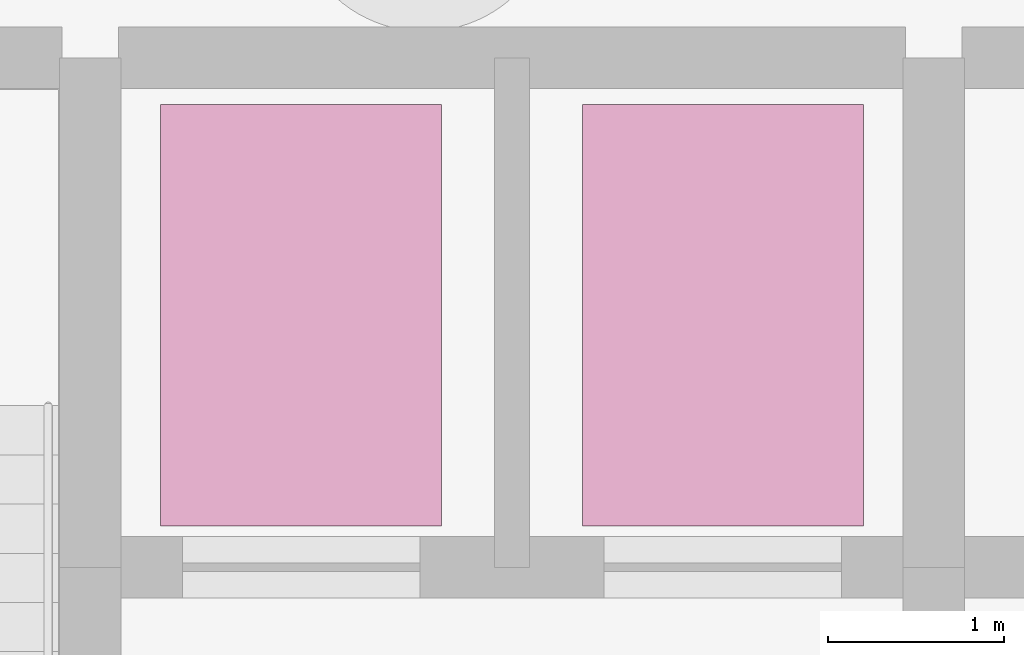
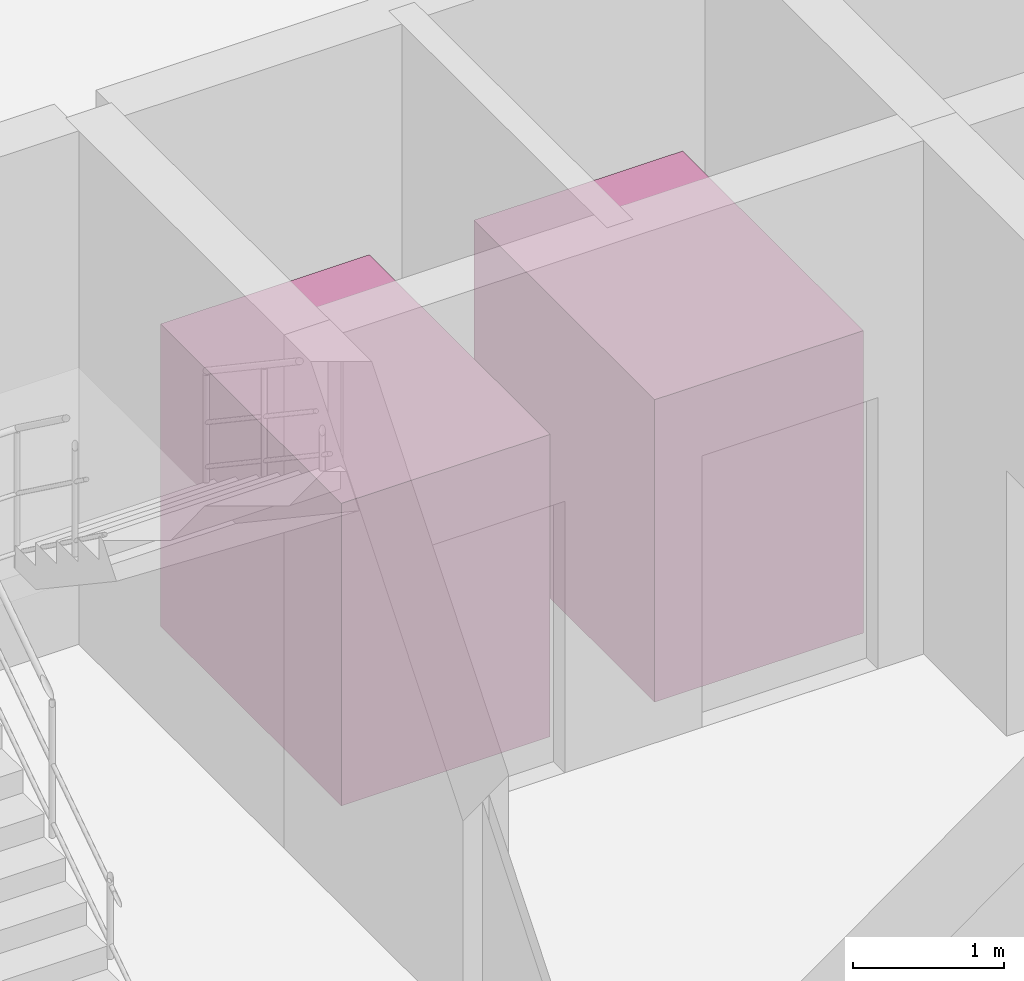
# One storey, part 8 of 8: 2 transport elements.
"""IFC4 building model written with IfcOpenShell, lengths in metres."""

import ifcopenshell
import ifcopenshell.guid

model = None  # the IFC model being written
_history = None  # IfcOwnerHistory: only IFC2X3 demands one
_inside = {}  # id of a spatial element -> (the spatial element, [elements in it])
_under = {}  # id of a project, library or spatial element -> (it, [spatial elements below it])
_declared = {}  # id of a project -> (the project, [libraries it declares])
_typed = {}  # id of a type object -> (the type object, [elements of that type])
_made_of = {}  # id of a material, layer set ... -> (it, [elements and type objects made of it])


def new_model(schema):
    """Start an empty IFC model of exactly this schema.

    Asked for "IFC4X3", IfcOpenShell would pick the latest addendum, in which some entities
    have other attributes; the version numbers below select the first issue.
    IFC2X3 requires an IfcOwnerHistory on every rooted entity: one is made here for all.
    """
    global model, _history
    if schema == "IFC4X3":
        model = ifcopenshell.file(schema_version=(4, 3, 0, 0))
    else:
        model = ifcopenshell.file(schema=schema)
    _inside.clear()
    _under.clear()
    _declared.clear()
    _typed.clear()
    _made_of.clear()
    _history = None
    if model.schema == "IFC2X3":
        org = make("IfcOrganization", Name="unknown")
        user = make(
            "IfcPersonAndOrganization",
            ThePerson=make("IfcPerson", FamilyName="unknown"),
            TheOrganization=org,
        )
        app = make(
            "IfcApplication",
            ApplicationDeveloper=org,
            Version="unknown",
            ApplicationFullName="unknown",
            ApplicationIdentifier="unknown",
        )
        _history = make(
            "IfcOwnerHistory",
            OwningUser=user,
            OwningApplication=app,
            ChangeAction="ADDED",
            CreationDate=0,
        )
    return model


def make(cls, **values):
    """One entity of the class cls with the attributes given. An attribute that is None is left unset."""
    return model.create_entity(
        cls, **{name: value for name, value in values.items() if value is not None}
    )


def rooted(cls, **values):
    """An entity with a GlobalId (a new one), such as an element, a storey or a relation."""
    return make(cls, GlobalId=ifcopenshell.guid.new(), OwnerHistory=_history, **values)


def si_unit(unit_type, name, prefix=None):
    """IfcSIUnit, for example si_unit("LENGTHUNIT", "METRE", prefix="MILLI")."""
    return make("IfcSIUnit", UnitType=unit_type, Prefix=prefix, Name=name)


def assignment(units):
    """IfcUnitAssignment: the units of a project."""
    return None if units is None else make("IfcUnitAssignment", Units=units)


def point(xyz):
    """IfcCartesianPoint."""
    return None if xyz is None else make("IfcCartesianPoint", Coordinates=xyz)


def direction(xyz):
    """IfcDirection."""
    return None if xyz is None else make("IfcDirection", DirectionRatios=xyz)


def frame(location, z_axis=None, x_axis=None):
    """IfcAxis2Placement3D, a coordinate frame: its origin and axes. An axis left out is left unset."""
    return make(
        "IfcAxis2Placement3D",
        Location=point(location),
        Axis=direction(z_axis),
        RefDirection=direction(x_axis),
    )


def frame_2d(location, x_axis=None):
    """IfcAxis2Placement2D, a coordinate frame in the plane: its origin and x axis."""
    return make(
        "IfcAxis2Placement2D", Location=point(location), RefDirection=direction(x_axis)
    )


def origin():
    """The frame at (0, 0, 0) with its axes left unset."""
    return frame((0.0, 0.0, 0.0))


def origin_2d():
    """The frame at (0, 0) in the plane with its x axis left unset."""
    return frame_2d((0.0, 0.0))


def place(relative_to, where):
    """IfcLocalPlacement: puts the frame where relative to a parent placement (None: the world)."""
    return make(
        "IfcLocalPlacement", PlacementRelTo=relative_to, RelativePlacement=where
    )


def context(
    kind, dimensions, precision=None, world=None, true_north=None, identifier=None
):
    """IfcGeometricRepresentationContext, for example the 3D "Model" context."""
    return make(
        "IfcGeometricRepresentationContext",
        ContextIdentifier=identifier,
        ContextType=kind,
        CoordinateSpaceDimension=dimensions,
        Precision=precision,
        WorldCoordinateSystem=world,
        TrueNorth=true_north,
    )


def subcontext(parent, identifier, kind, view, scale=None):
    """IfcGeometricRepresentationSubContext, for example "Body" below "Model"."""
    return make(
        "IfcGeometricRepresentationSubContext",
        ContextIdentifier=identifier,
        ContextType=kind,
        ParentContext=parent,
        TargetScale=scale,
        TargetView=view,
    )


def project(units=None, contexts=None):
    """IfcProject with its units and contexts."""
    return rooted(
        "IfcProject",
        Name="project",
        RepresentationContexts=contexts,
        UnitsInContext=assignment(units),
    )


def spatial(cls, under=None, at=None, **own):
    """A site, building, storey or space (cls), placed at a placement, below another one or the project."""
    s = rooted(cls, ObjectPlacement=at, **own)
    if under is not None:
        _under.setdefault(under.id(), (under, []))[1].append(s)
    return s


def profile(cls, at=None, kind="AREA", **sizes):
    """A parametric profile (cls). Its sizes go by their IFC names, for example OverallWidth=200.0."""
    return make(cls, ProfileType=kind, Position=at, **sizes)


def rectangle(**sizes):
    """IfcRectangleProfileDef."""
    return profile("IfcRectangleProfileDef", **sizes)


def extrude(swept, where, along, depth):
    """IfcExtrudedAreaSolid: the profile swept, set in the frame where, extruded along a direction by depth."""
    return make(
        "IfcExtrudedAreaSolid",
        SweptArea=swept,
        Position=where,
        ExtrudedDirection=direction(along),
        Depth=depth,
    )


def shape(context_of_items, identifier, shape_type, items):
    """IfcShapeRepresentation: the items that make up one representation, for example the "Body"."""
    return make(
        "IfcShapeRepresentation",
        ContextOfItems=context_of_items,
        RepresentationIdentifier=identifier,
        RepresentationType=shape_type,
        Items=items,
    )


def material(Name=None, Category=None):
    """IfcMaterial."""
    return make("IfcMaterial", Name=Name, Category=Category)


def made_of(thing, what):
    """Note that an element or type object is made of a material, layer set ...; save() writes the relation."""
    if what is not None:
        _made_of.setdefault(what.id(), (what, []))[1].append(thing)
    return thing


def type_object(cls, material=None, **own):
    """A type object (cls), such as IfcWallType, which elements share."""
    return made_of(rooted(cls, **own), material)


def element(
    cls,
    number,
    at=None,
    inside=None,
    cuts=None,
    type_object=None,
    material=None,
    context=None,
    identifier="Body",
    shape_type=None,
    held_by="IfcProductDefinitionShape",
    body=None,
    shapes=None,
    **own,
):
    """One element of the class cls, such as IfcWall. Its Tag is "e" and its number.

    at: its placement. inside: the storey or other place that contains it. cuts: it is an
    opening in that element (IfcRelVoidsElement). A single representation is given by context,
    identifier, shape_type and body (its items); several are given by shapes. held_by: the class
    of the entity that holds the representations. save() writes the other relations.
    """
    e = rooted(cls, Tag="e%d" % number, ObjectPlacement=at, **own)
    if body is not None:
        shapes = [shape(context, identifier, shape_type, body)]
    if shapes is not None:
        e.Representation = make(held_by, Representations=shapes)
    if inside is not None:
        _inside.setdefault(inside.id(), (inside, []))[1].append(e)
    if cuts is not None:
        rooted(
            "IfcRelVoidsElement", RelatingBuildingElement=cuts, RelatedOpeningElement=e
        )
    if type_object is not None:
        _typed.setdefault(type_object.id(), (type_object, []))[1].append(e)
    return made_of(e, material)


def aggregate(whole, parts):
    """IfcRelAggregates: a whole, such as a stair, and the parts it consists of."""
    return rooted("IfcRelAggregates", RelatingObject=whole, RelatedObjects=parts)


def save(model, path):
    """Write the relations noted so far, then the file.

    IfcRelAggregates (storeys below a building ...), IfcRelContainedInSpatialStructure (elements
    in a storey), IfcRelDefinesByType, IfcRelAssociatesMaterial and IfcRelDeclares: one each for
    every whole, place, type object, material and project.
    """
    for whole, parts in _under.values():
        aggregate(whole, parts)
    for where, things in _inside.values():
        rooted(
            "IfcRelContainedInSpatialStructure",
            RelatedElements=things,
            RelatingStructure=where,
        )
    for kind, things in _typed.values():
        rooted("IfcRelDefinesByType", RelatedObjects=things, RelatingType=kind)
    for what, things in _made_of.values():
        rooted("IfcRelAssociatesMaterial", RelatedObjects=things, RelatingMaterial=what)
    for by, libraries in _declared.values():
        rooted("IfcRelDeclares", RelatingContext=by, RelatedDefinitions=libraries)
    model.write(path)


model = new_model("IFC4")

# Units and contexts
model_context = context("Model", 3, precision=1e-05, world=origin(), true_north=direction((0.0, 1.0)))
body_context = subcontext(model_context, "Body", "Model", "MODEL_VIEW")
ifc_project = project(units=[si_unit("LENGTHUNIT", "METRE"), si_unit("AREAUNIT", "SQUARE_METRE"), si_unit("VOLUMEUNIT", "CUBIC_METRE"), si_unit("PLANEANGLEUNIT", "RADIAN"), si_unit("MASSUNIT", "GRAM", prefix="KILO")], contexts=[model_context])

# Site, building, storey
site_placement = place(None, origin())
site = spatial("IfcSite", under=ifc_project, at=site_placement, CompositionType="ELEMENT")
building_placement = place(site_placement, origin())
building = spatial("IfcBuilding", under=site, at=building_placement, Name="Keshet Zoharim Tower", CompositionType="ELEMENT")
storey_placement = place(building_placement, frame((0.0, 0.0, -9.0)))
storey = spatial("IfcBuildingStorey", under=building, at=storey_placement, Name="B2", CompositionType="ELEMENT", Elevation=-9.0)

# Transport elements
ifc_material = material(Name="Steel S355", Category="steel")
transport_element_type = type_object("IfcTransportElementType", Name="LFT-FF-1600", PredefinedType="ELEVATOR", material=ifc_material)
for number, where, z_axis, x_axis, name in (
    (1, (20.199951171875, 36.43505859375, 0.0), (0.0, 0.0, 1.0), (1.0, 0.0, 0.0), "Firefighting Lift FF-01"),
    (2, (22.60009765625, 36.43505859375, 0.0), (0.0, 0.0, 1.0), (1.0, 0.0, 0.0), "Firefighting Lift FF-02"),
):
    element("IfcTransportElement", number, at=place(storey_placement, frame(where, z_axis=z_axis, x_axis=x_axis)), inside=storey, type_object=transport_element_type, Name=name, PredefinedType="ELEVATOR", context=body_context, shape_type="SweptSolid", body=[
        extrude(rectangle(XDim=1.60009765625, YDim=2.39990234375, at=origin_2d()), origin(), (0.0, 0.0, 1.0), 2.449951171875),
    ])

save(model, "model.ifc")
